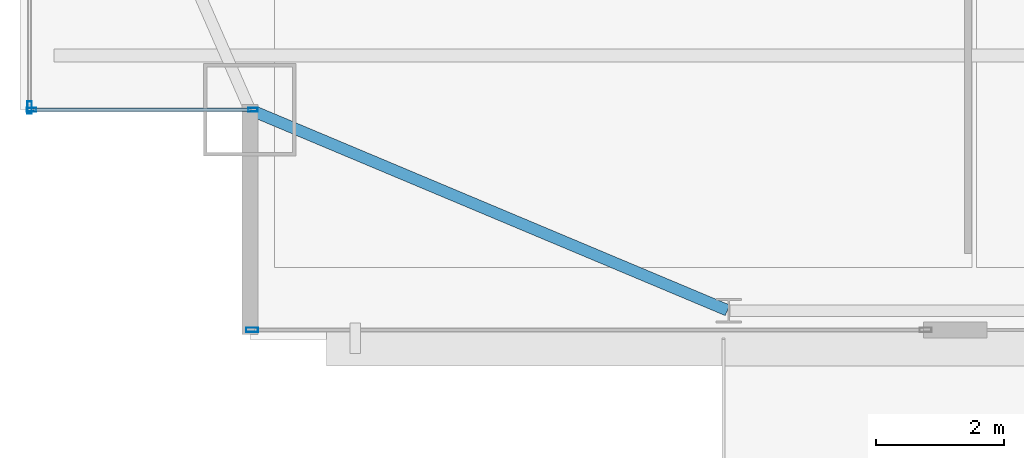
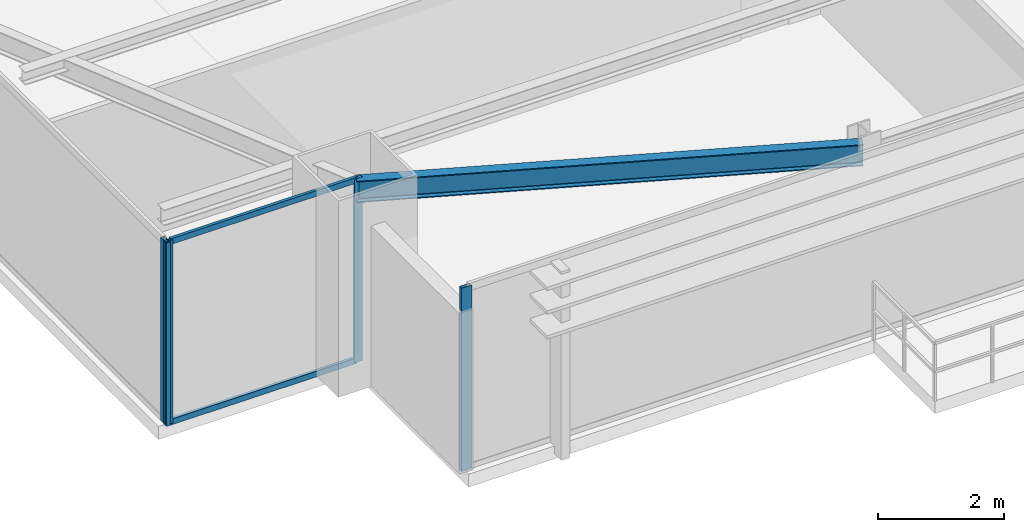
# One storey, part 3 of 34: 6 members, 1 beam, 3 elements without a shape of their own.
"""IFC4 building model written with IfcOpenShell, lengths in metres."""

from ifc_helpers import new_model, si_unit, direction, frame, origin, origin_2d, place, context, subcontext, project, spatial, hollow_rectangle, i_section, extrude, source, transform, mapped, material, layer, layer_set, material_profile, profile_set, type_object, type_shapes, element, aggregate, save


model = new_model("IFC4")

# Units and contexts
model_context = context("Model", 3, precision=1e-05, world=origin(), true_north=direction((0.0, 1.0)))
body_context = subcontext(model_context, "Body", "Model", "MODEL_VIEW")
ifc_project = project(units=[si_unit("LENGTHUNIT", "METRE"), si_unit("AREAUNIT", "SQUARE_METRE"), si_unit("VOLUMEUNIT", "CUBIC_METRE"), si_unit("PLANEANGLEUNIT", "RADIAN"), si_unit("MASSUNIT", "GRAM", prefix="KILO")], contexts=[model_context])

# Site, building, storey
site_placement = place(None, origin())
site = spatial("IfcSite", under=ifc_project, at=site_placement, CompositionType="ELEMENT")
building_placement = place(site_placement, origin())
building = spatial("IfcBuilding", under=site, at=building_placement, Name="Varnel Quay Broadcast Tower", CompositionType="ELEMENT")
storey_placement = place(building_placement, frame((0.0, 0.0, 110.60009765625)))
storey = spatial("IfcBuildingStorey", under=building, at=storey_placement, Name="L26", CompositionType="ELEMENT", Elevation=110.60009765625)

# Beam
ifc_material_1 = material(Name="Structural Steel CSA G40.21 350W", Category="steel")
ifc_material_profile_1 = material_profile(ifc_material_1, i_section(OverallWidth=0.180908203125, OverallDepth=0.4169921875, WebThickness=0.010986328125, FlangeThickness=0.018310546875, FilletRadius=0.011962890625, at=origin_2d()), Name="W410X85")
ifc_profile_set_1 = profile_set([ifc_material_profile_1], Name="Structural Steel CSA G40.21 350W")
beam_type = type_object("IfcBeamType", Name="Beam_W410X85", PredefinedType="SPANDREL", material=ifc_profile_set_1)
shared_shape_1 = source(origin(), body_context, "Body", "SweptSolid", [
    extrude(i_section(OverallWidth=0.180908203125, OverallDepth=0.4169921875, WebThickness=0.010986328125, FlangeThickness=0.018310546875, FilletRadius=0.011962890625, at=origin_2d()), origin(), (0.0, 0.0, 1.0), 8.0947265625),
])
type_shapes(beam_type, [shared_shape_1])
beam_placement = place(storey_placement, frame((8.118408203125, 7.792236328125, 3.34130859375), z_axis=(0.921981890247, -0.387232997117, 0.0), x_axis=(0.387232997117, 0.921981890247, 0.0)))
element("IfcBeam", 1, at=beam_placement, inside=storey, type_object=beam_type, Name="L26 South Spandrel MC-SW-TC-S1", PredefinedType="SPANDREL", context=body_context, shape_type="MappedRepresentation", body=[
    mapped(shared_shape_1, transform((0.0, 0.0, 0.0), x_axis=(1.0, 0.0, 0.0), y_axis=(0.0, 1.0, 0.0), z_axis=(0.0, 0.0, 1.0), scale=1.0)),
])

# Curtain wall, members
ifc_material_2 = material(Name="Anodised Bronze Aluminium 6063-T6", Category="aluminium")
ifc_layer_1 = layer(ifc_material_2, 0.18994140625, Name="Anodised Bronze Aluminium 6063-T6")
ifc_layer_set_1 = layer_set([ifc_layer_1], Name="Anodised Bronze Aluminium 6063-T6")
curtain_wall_type_1 = type_object("IfcCurtainWallType", Name="CW_NotchCorner", PredefinedType="NOTDEFINED", material=ifc_layer_set_1)
curtain_wall_1_placement = place(storey_placement, origin())
curtain_wall_1 = element("IfcCurtainWall", 2, at=curtain_wall_1_placement, inside=storey, type_object=curtain_wall_type_1, Name="L26 SW Notch Curtain Wall", PredefinedType="NOTDEFINED")
ifc_material_profile_2 = material_profile(ifc_material_2, hollow_rectangle(XDim=0.054931640625, YDim=0.110107421875, WallThickness=0.0029296875, at=origin_2d()), Name="ALU55X110X3")
ifc_profile_set_2 = profile_set([ifc_material_profile_2], Name="Anodised Bronze Aluminium 6063-T6")
member_type_1 = type_object("IfcMemberType", Name="Tran_CWS-04", PredefinedType="USERDEFINED", material=ifc_profile_set_2)
shared_shape_2 = source(origin(), body_context, "Body", "SweptSolid", [
    extrude(hollow_rectangle(XDim=0.054931640625, YDim=0.110107421875, WallThickness=0.0029296875, at=origin_2d()), origin(), (0.0, 0.0, 1.0), 3.41015625),
])
type_shapes(member_type_1, [shared_shape_2])
member_1_placement = place(storey_placement, frame((4.7099609375, 7.800048828125, 0.02734375), z_axis=(1.0, 0.0, 0.0), x_axis=(0.0, 1.0, 0.0)))
member_1 = element("IfcMember", 3, at=member_1_placement, type_object=member_type_1, Name="CWS-04 transom 1.1", ObjectType="TRANSOM", PredefinedType="USERDEFINED", context=body_context, shape_type="MappedRepresentation", body=[
    mapped(shared_shape_2, transform((0.0, 0.0, 0.0), x_axis=(1.0, 0.0, 0.0), y_axis=(0.0, 1.0, 0.0), z_axis=(0.0, 0.0, 1.0), scale=1.0)),
])
member_2_placement = place(storey_placement, frame((4.7099609375, 7.800048828125, 3.5224609375), z_axis=(1.0, 0.0, 0.0), x_axis=(0.0, 1.0, 0.0)))
member_2 = element("IfcMember", 4, at=member_2_placement, type_object=member_type_1, Name="CWS-04 transom 1.2", ObjectType="TRANSOM", PredefinedType="USERDEFINED", context=body_context, shape_type="MappedRepresentation", body=[
    mapped(shared_shape_2, transform((0.0, 0.0, 0.0), x_axis=(1.0, 0.0, 0.0), y_axis=(0.0, 1.0, 0.0), z_axis=(0.0, 0.0, 1.0), scale=1.0)),
])

# Curtain wall, member
ifc_layer_2 = layer(ifc_material_2, 0.18994140625, Name="Anodised Bronze Aluminium 6063-T6")
ifc_layer_set_2 = layer_set([ifc_layer_2], Name="Anodised Bronze Aluminium 6063-T6")
curtain_wall_type_2 = type_object("IfcCurtainWallType", Name="CW_LowerTower", PredefinedType="NOTDEFINED", material=ifc_layer_set_2)
curtain_wall_2_placement = place(storey_placement, origin())
curtain_wall_2 = element("IfcCurtainWall", 5, at=curtain_wall_2_placement, inside=storey, type_object=curtain_wall_type_2, Name="L26 South Unitised Curtain Wall 1", PredefinedType="NOTDEFINED")
ifc_material_profile_3 = material_profile(ifc_material_2, hollow_rectangle(XDim=0.070068359375, YDim=0.18994140625, WallThickness=0.00390625, at=origin_2d()), Name="ALU70X190X4")
ifc_profile_set_3 = profile_set([ifc_material_profile_3], Name="Anodised Bronze Aluminium 6063-T6")
member_type_2 = type_object("IfcMemberType", Name="Mull_CWS-02", PredefinedType="MULLION", material=ifc_profile_set_3)
shared_shape_3 = source(origin(), body_context, "Body", "SweptSolid", [
    extrude(hollow_rectangle(XDim=0.070068359375, YDim=0.18994140625, WallThickness=0.00390625, at=origin_2d()), origin(), (0.0, 0.0, 1.0), 3.5498046875),
])
type_shapes(member_type_2, [shared_shape_3])
member_3_placement = place(storey_placement, frame((8.135009765625, 4.35009765625, 0.0), z_axis=(0.0, 0.0, 1.0), x_axis=(0.0, 1.0, 0.0)))
member_3 = element("IfcMember", 6, at=member_3_placement, type_object=member_type_2, Name="CWS-02 mullion 1", PredefinedType="MULLION", context=body_context, shape_type="MappedRepresentation", body=[
    mapped(shared_shape_3, transform((0.0, 0.0, 0.0), x_axis=(1.0, 0.0, 0.0), y_axis=(0.0, 1.0, 0.0), z_axis=(0.0, 0.0, 1.0), scale=1.0)),
])
aggregate(curtain_wall_2, [member_3])

curtain_wall_3_placement = place(storey_placement, origin())
curtain_wall_3 = element("IfcCurtainWall", 7, at=curtain_wall_3_placement, inside=storey, type_object=curtain_wall_type_2, Name="L26 West Unitised Curtain Wall", PredefinedType="NOTDEFINED")
member_4_placement = place(storey_placement, frame((4.64990234375, 7.8349609375, 0.0), z_axis=(0.0, 0.0, 1.0), x_axis=(-1.0, 0.0, 0.0)))
member_4 = element("IfcMember", 8, at=member_4_placement, type_object=member_type_2, Name="CWS-02 mullion 1", PredefinedType="MULLION", context=body_context, shape_type="MappedRepresentation", body=[
    mapped(shared_shape_3, transform((0.0, 0.0, 0.0), x_axis=(1.0, 0.0, 0.0), y_axis=(0.0, 1.0, 0.0), z_axis=(0.0, 0.0, 1.0), scale=1.0)),
])
aggregate(curtain_wall_3, [member_4])

# Member
ifc_material_profile_4 = material_profile(ifc_material_2, hollow_rectangle(XDim=0.06005859375, YDim=0.14501953125, WallThickness=0.00341796875, at=origin_2d()), Name="ALU60X145X3.5")
ifc_profile_set_4 = profile_set([ifc_material_profile_4], Name="Anodised Bronze Aluminium 6063-T6")
member_type_3 = type_object("IfcMemberType", Name="Mull_CWS-04", PredefinedType="MULLION", material=ifc_profile_set_4)
shared_shape_4 = source(origin(), body_context, "Body", "SweptSolid", [
    extrude(hollow_rectangle(XDim=0.06005859375, YDim=0.14501953125, WallThickness=0.00341796875, at=origin_2d()), origin(), (0.0, 0.0, 1.0), 3.5498046875),
])
type_shapes(member_type_3, [shared_shape_4])
member_5_placement = place(storey_placement, frame((4.679931640625, 7.800048828125, 0.0), z_axis=(0.0, 0.0, 1.0), x_axis=(0.0, 1.0, 0.0)))
member_5 = element("IfcMember", 9, at=member_5_placement, type_object=member_type_3, Name="CWS-04 mullion 1", PredefinedType="MULLION", context=body_context, shape_type="MappedRepresentation", body=[
    mapped(shared_shape_4, transform((0.0, 0.0, 0.0), x_axis=(1.0, 0.0, 0.0), y_axis=(0.0, 1.0, 0.0), z_axis=(0.0, 0.0, 1.0), scale=1.0)),
])

member_6_placement = place(storey_placement, frame((8.14990234375, 7.800048828125, 0.0), z_axis=(0.0, 0.0, 1.0), x_axis=(0.0, 1.0, 0.0)))
member_6 = element("IfcMember", 10, at=member_6_placement, type_object=member_type_3, Name="CWS-04 mullion 2", PredefinedType="MULLION", context=body_context, shape_type="MappedRepresentation", body=[
    mapped(shared_shape_4, transform((0.0, 0.0, 0.0), x_axis=(1.0, 0.0, 0.0), y_axis=(0.0, 1.0, 0.0), z_axis=(0.0, 0.0, 1.0), scale=1.0)),
])

aggregate(curtain_wall_1, [member_5, member_6, member_1, member_2])

save(model, "model.ifc")
